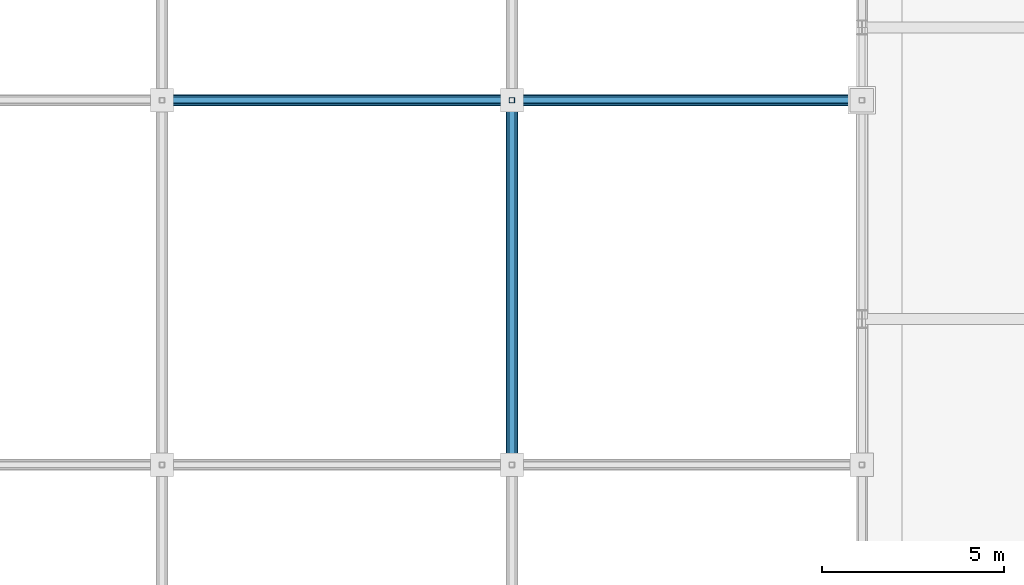
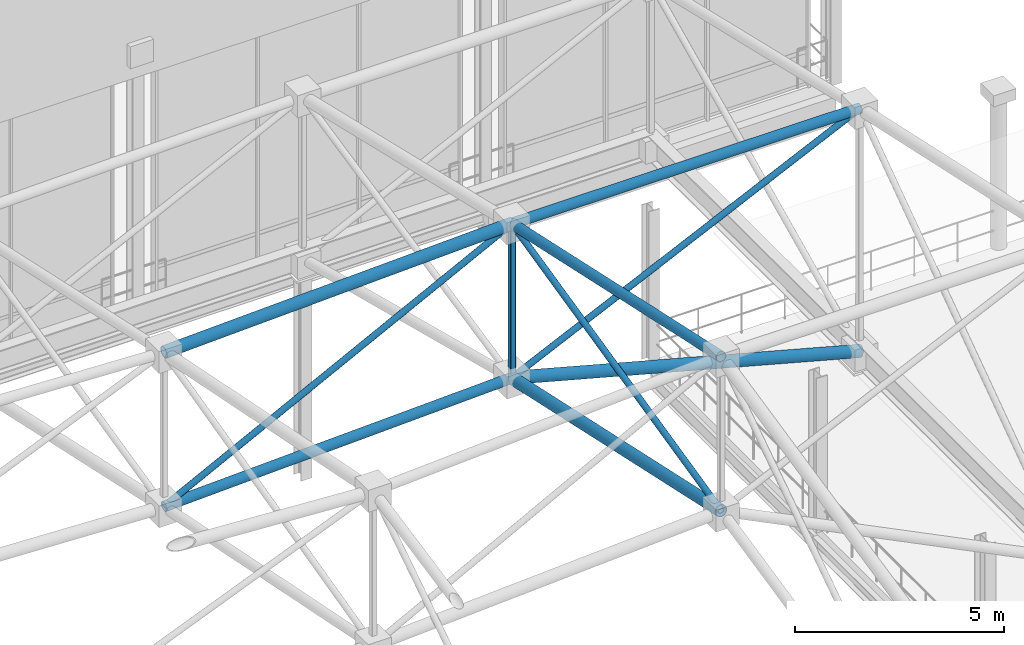
# One storey, part 94 of 193: 10 members.
"""IFC4 building model written with IfcOpenShell, lengths in metres."""

from ifc_helpers import new_model, si_unit, direction, frame, origin, origin_2d, place, context, subcontext, project, spatial, hollow_rectangle, hollow_circle, extrude, material, material_profile, profile_set, type_object, element, save


model = new_model("IFC4")

# Units and contexts
model_context = context("Model", 3, precision=1e-05, world=origin(), true_north=direction((0.0, 1.0)))
body_context = subcontext(model_context, "Body", "Model", "MODEL_VIEW")
ifc_project = project(units=[si_unit("LENGTHUNIT", "METRE"), si_unit("AREAUNIT", "SQUARE_METRE"), si_unit("VOLUMEUNIT", "CUBIC_METRE"), si_unit("PLANEANGLEUNIT", "RADIAN"), si_unit("MASSUNIT", "GRAM", prefix="KILO")], contexts=[model_context])

# Site, building, storey
site_placement = place(None, origin())
site = spatial("IfcSite", under=ifc_project, at=site_placement, CompositionType="ELEMENT")
building_placement = place(site_placement, origin())
building = spatial("IfcBuilding", under=site, at=building_placement, Name="Danafjord Basin Convention Centre", CompositionType="ELEMENT")
storey_placement = place(building_placement, frame((0.0, 0.0, 11.39990234375)))
storey = spatial("IfcBuildingStorey", under=building, at=storey_placement, Name="L02", CompositionType="ELEMENT", Elevation=11.39990234375)

# Members
ifc_material = material(Name="Steel S355", Category="steel")
ifc_material_profile_1 = material_profile(ifc_material, hollow_circle(Radius=0.136474609375, WallThickness=0.012451171875, at=origin_2d()), Name="CHS 273.0x12.5")
ifc_profile_set_1 = profile_set([ifc_material_profile_1], Name="Steel S355")
member_type_1 = type_object("IfcMemberType", Name="MEM-CH-CHS273", PredefinedType="CHORD", material=ifc_profile_set_1)
member_1_placement = place(storey_placement, frame((172.800048828125, 70.0, 8.5341796875), z_axis=(0.999160725622, 0.0, 0.040961498683), x_axis=(0.0, 1.0, 0.0)))
element("IfcMember", 1, at=member_1_placement, inside=storey, type_object=member_type_1, Name="V3 roof truss longitudinal bottom chord", PredefinedType="CHORD", context=body_context, shape_type="SweptSolid", body=[
    extrude(hollow_circle(Radius=0.136474609375, WallThickness=0.012451171875, at=origin_2d()), origin(), (0.0, 0.0, 1.0), 9.60791015625),
])
member_2_placement = place(storey_placement, frame((182.39990234375, 60.0, 15.612548828125), z_axis=(0.0, 0.976954756916, -0.213446487296), x_axis=(-1.0, 0.0, 0.0)))
element("IfcMember", 2, at=member_2_placement, inside=storey, type_object=member_type_1, Name="V3 roof truss transverse top chord", PredefinedType="CHORD", context=body_context, shape_type="SweptSolid", body=[
    extrude(hollow_circle(Radius=0.136474609375, WallThickness=0.012451171875, at=origin_2d()), origin(), (0.0, 0.0, 1.0), 10.23583984375),
])
member_3_placement = place(storey_placement, frame((182.39990234375, 70.0, 13.427734375), z_axis=(0.999999999677, 0.0, 2.5431056e-05), x_axis=(0.0, 1.0, 0.0)))
element("IfcMember", 3, at=member_3_placement, inside=storey, type_object=member_type_1, Name="V3 roof truss longitudinal top chord", PredefinedType="CHORD", context=body_context, shape_type="SweptSolid", body=[
    extrude(hollow_circle(Radius=0.136474609375, WallThickness=0.012451171875, at=origin_2d()), origin(), (0.0, 0.0, 1.0), 9.60009765625),
])
ifc_material_profile_2 = material_profile(ifc_material, hollow_circle(Radius=0.161865234375, WallThickness=0.01611328125, at=origin_2d()), Name="CHS 323.9x16.0")
ifc_profile_set_2 = profile_set([ifc_material_profile_2], Name="Steel S355")
member_type_2 = type_object("IfcMemberType", Name="MEM-CH-CHS324", PredefinedType="CHORD", material=ifc_profile_set_2)
member_4_placement = place(storey_placement, frame((172.800048828125, 70.0, 13.0341796875), z_axis=(0.999160725622, 0.0, 0.040961498683), x_axis=(0.0, 1.0, 0.0)))
element("IfcMember", 4, at=member_4_placement, inside=storey, type_object=member_type_2, Name="V3 roof truss longitudinal top chord", PredefinedType="CHORD", context=body_context, shape_type="SweptSolid", body=[
    extrude(hollow_circle(Radius=0.161865234375, WallThickness=0.01611328125, at=origin_2d()), origin(), (0.0, 0.0, 1.0), 9.60791015625),
])
member_5_placement = place(storey_placement, frame((182.39990234375, 60.0, 11.112548828125), z_axis=(0.0, 0.976954756916, -0.213446487296), x_axis=(-1.0, 0.0, 0.0)))
element("IfcMember", 5, at=member_5_placement, inside=storey, type_object=member_type_2, Name="V3 roof truss transverse bottom chord", PredefinedType="CHORD", context=body_context, shape_type="SweptSolid", body=[
    extrude(hollow_circle(Radius=0.161865234375, WallThickness=0.01611328125, at=origin_2d()), origin(), (0.0, 0.0, 1.0), 10.23583984375),
])
member_6_placement = place(storey_placement, frame((182.39990234375, 70.0, 8.927734375), z_axis=(0.965792442786, 0.0, -0.259316327016), x_axis=(0.0, 1.0, 0.0)))
element("IfcMember", 6, at=member_6_placement, inside=storey, type_object=member_type_2, Name="V3 roof truss longitudinal bottom chord", PredefinedType="CHORD", context=body_context, shape_type="SweptSolid", body=[
    extrude(hollow_circle(Radius=0.161865234375, WallThickness=0.01611328125, at=origin_2d()), origin(), (0.0, 0.0, 1.0), 9.940185546875),
])
ifc_material_profile_3 = material_profile(ifc_material, hollow_rectangle(XDim=0.14990234375, YDim=0.14990234375, WallThickness=0.008056640625, InnerFilletRadius=0.011962890625, OuterFilletRadius=0.02001953125, at=origin_2d()), Name="SHS 150x150x8.0")
ifc_profile_set_3 = profile_set([ifc_material_profile_3], Name="Steel S355")
member_type_3 = type_object("IfcMemberType", Name="MEM-ST-SHS150", PredefinedType="STRUT", material=ifc_profile_set_3)
member_7_placement = place(storey_placement, frame((182.39990234375, 70.0, 8.927734375), z_axis=(0.0, 0.0, 1.0), x_axis=(1.0, 0.0, 0.0)))
element("IfcMember", 7, at=member_7_placement, inside=storey, type_object=member_type_3, Name="V3 roof truss vertical strut", PredefinedType="STRUT", context=body_context, shape_type="SweptSolid", body=[
    extrude(hollow_rectangle(XDim=0.14990234375, YDim=0.14990234375, WallThickness=0.008056640625, InnerFilletRadius=0.011962890625, OuterFilletRadius=0.02001953125, at=origin_2d()), origin(), (0.0, 0.0, 1.0), 4.5),
])
ifc_material_profile_4 = material_profile(ifc_material, hollow_circle(Radius=0.084228515625, WallThickness=0.008056640625, at=origin_2d()), Name="CHS 168.3x8.0")
ifc_profile_set_4 = profile_set([ifc_material_profile_4], Name="Steel S355")
member_type_4 = type_object("IfcMemberType", Name="MEM-WB-CHS168", PredefinedType="MEMBER", material=ifc_profile_set_4)
member_8_placement = place(storey_placement, frame((172.800048828125, 70.0, 8.5341796875), z_axis=(0.890924482548, 0.0, 0.454151479571), x_axis=(0.0, 1.0, 0.0)))
element("IfcMember", 8, at=member_8_placement, inside=storey, type_object=member_type_4, Name="V3 space-frame longitudinal web", PredefinedType="MEMBER", context=body_context, shape_type="SweptSolid", body=[
    extrude(hollow_circle(Radius=0.084228515625, WallThickness=0.008056640625, at=origin_2d()), origin(), (0.0, 0.0, 1.0), 10.775146484375),
])
member_9_placement = place(storey_placement, frame((182.39990234375, 60.0, 11.112548828125), z_axis=(0.0, 0.974231002168, 0.225552553554), x_axis=(-1.0, 0.0, 0.0)))
element("IfcMember", 9, at=member_9_placement, inside=storey, type_object=member_type_4, Name="V3 space-frame transverse web", PredefinedType="MEMBER", context=body_context, shape_type="SweptSolid", body=[
    extrude(hollow_circle(Radius=0.084228515625, WallThickness=0.008056640625, at=origin_2d()), origin(), (0.0, 0.0, 1.0), 10.264404296875),
])
member_10_placement = place(storey_placement, frame((182.39990234375, 70.0, 8.927734375), z_axis=(0.905451745779, 0.0, 0.424449214942), x_axis=(0.0, 1.0, 0.0)))
element("IfcMember", 10, at=member_10_placement, inside=storey, type_object=member_type_4, Name="V3 space-frame longitudinal web", PredefinedType="MEMBER", context=body_context, shape_type="SweptSolid", body=[
    extrude(hollow_circle(Radius=0.084228515625, WallThickness=0.008056640625, at=origin_2d()), origin(), (0.0, 0.0, 1.0), 10.6025390625),
])

save(model, "model.ifc")
